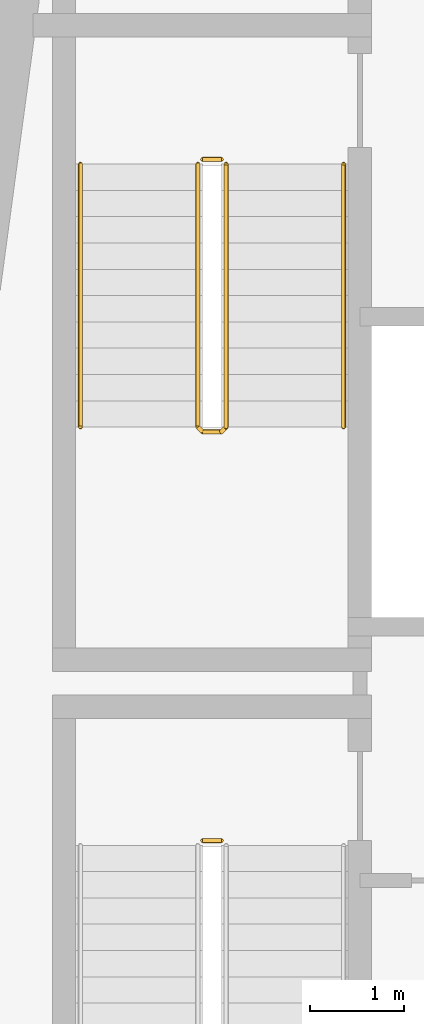
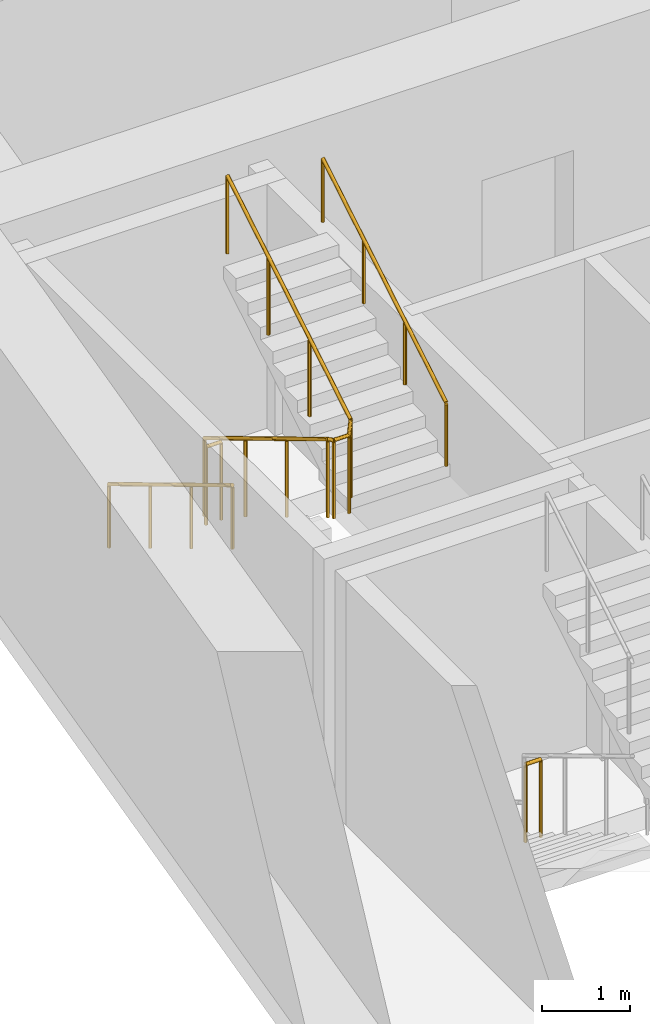
# One storey, part 10 of 13: 5 railings.
"""IFC4 building model written with IfcOpenShell, lengths in metres."""

from ifc_helpers import new_model, si_unit, direction, frame, origin, origin_2d, place, context, subcontext, project, spatial, circle, extrude, material, type_object, element, save


model = new_model("IFC4")

# Units and contexts
model_context = context("Model", 3, precision=1e-05, world=origin(), true_north=direction((0.0, 1.0)))
body_context = subcontext(model_context, "Body", "Model", "MODEL_VIEW")
ifc_project = project(units=[si_unit("LENGTHUNIT", "METRE"), si_unit("AREAUNIT", "SQUARE_METRE"), si_unit("VOLUMEUNIT", "CUBIC_METRE"), si_unit("PLANEANGLEUNIT", "RADIAN"), si_unit("MASSUNIT", "GRAM", prefix="KILO")], contexts=[model_context])

# Site, building, storey
site_placement = place(None, origin())
site = spatial("IfcSite", under=ifc_project, at=site_placement, CompositionType="ELEMENT")
building_placement = place(site_placement, origin())
building = spatial("IfcBuilding", under=site, at=building_placement, Name="Candeia Pilgrim Tower and Theatre", CompositionType="ELEMENT")
storey_placement = place(building_placement, frame((0.0, 0.0, 177.39990234375)))
storey = spatial("IfcBuildingStorey", under=building, at=storey_placement, Name="L42", CompositionType="ELEMENT", Elevation=177.39990234375)

# Railings
ifc_material_1 = material(Name="Stainless steel balustrade", Category="steel")
railing_type_1 = type_object("IfcRailingType", Name="RL-GUARD-1100", PredefinedType="GUARDRAIL", material=ifc_material_1)
railing_1_placement = place(storey_placement, frame((91.152099609375, 122.52490234375, 0.0)))
element("IfcRailing", 1, at=railing_1_placement, inside=storey, type_object=railing_type_1, Name="L42 ST1 stair guard 2", PredefinedType="GUARDRAIL", context=body_context, shape_type="SweptSolid", body=[
    extrude(circle(Radius=0.02392578125, at=origin_2d()), frame((0.0, 0.0, 1.076171875), z_axis=(1.0, 0.0, 0.0), x_axis=(0.0, 1.0, 0.0)), (0.0, 0.0, 1.0), 0.199951171875),
    extrude(circle(Radius=0.02099609375, at=origin_2d()), origin(), (0.0, 0.0, 1.0), 1.052001953125),
    extrude(circle(Radius=0.02099609375, at=origin_2d()), frame((0.199951171875, 0.0, 0.0)), (0.0, 0.0, 1.0), 1.052001953125),
])
railing_2_placement = place(storey_placement, frame((91.10205078125, 129.72509765625, 0.168212890625)))
element("IfcRailing", 2, at=railing_2_placement, inside=storey, type_object=railing_type_1, Name="L42 ST2 stair guard 1", PredefinedType="GUARDRAIL", context=body_context, shape_type="SweptSolid", body=[
    extrude(circle(Radius=0.02392578125, at=origin_2d()), frame((0.0, 0.0, 1.076171875), z_axis=(0.0, -0.857242210791, 0.514913383045), x_axis=(1.0, 0.0, 0.0)), (0.0, 0.0, 1.0), 3.266357421875),
    extrude(circle(Radius=0.02392578125, at=origin_2d()), frame((0.0, -2.800048828125, 2.7578125), z_axis=(0.707106781187, -0.707106781187, 0.0), x_axis=(0.707106781187, 0.707106781187, 0.0)), (0.0, 0.0, 1.0), 0.07080078125),
    extrude(circle(Radius=0.02392578125, at=origin_2d()), frame((0.050048828125, -2.85009765625, 2.7578125), z_axis=(1.0, 0.0, 0.0), x_axis=(0.0, 1.0, 0.0)), (0.0, 0.0, 1.0), 0.199951171875),
    extrude(circle(Radius=0.02392578125, at=origin_2d()), frame((0.25, -2.85009765625, 2.7578125), z_axis=(0.274243871929, 0.274243871929, 0.92172696468), x_axis=(-0.707106781187, 0.707106781187, 0.0)), (0.0, 0.0, 1.0), 0.1826171875),
    extrude(circle(Radius=0.02392578125, at=origin_2d()), frame((0.300048828125, -2.800048828125, 2.92626953125), z_axis=(0.0, 0.857242210791, 0.514913383045), x_axis=(-1.0, 0.0, 0.0)), (0.0, 0.0, 1.0), 3.266357421875),
    extrude(circle(Radius=0.02099609375, at=origin_2d()), origin(), (0.0, 0.0, 1.0), 1.052001953125),
    extrude(circle(Radius=0.02099609375, at=origin_2d()), frame((0.0, -0.933349609375, 0.560546875)), (0.0, 0.0, 1.0), 1.052001953125),
    extrude(circle(Radius=0.02099609375, at=origin_2d()), frame((0.0, -1.86669921875, 1.121337890625)), (0.0, 0.0, 1.0), 1.052001953125),
    extrude(circle(Radius=0.02099609375, at=origin_2d()), frame((0.0, -2.800048828125, 1.681884765625)), (0.0, 0.0, 1.0), 1.052001953125),
    extrude(circle(Radius=0.02099609375, at=origin_2d()), frame((0.050048828125, -2.85009765625, 1.681884765625)), (0.0, 0.0, 1.0), 1.052001953125),
    extrude(circle(Radius=0.02099609375, at=origin_2d()), frame((0.25, -2.85009765625, 1.681884765625)), (0.0, 0.0, 1.0), 1.052001953125),
    extrude(circle(Radius=0.02099609375, at=origin_2d()), frame((0.300048828125, -2.800048828125, 1.85009765625)), (0.0, 0.0, 1.0), 1.052001953125),
    extrude(circle(Radius=0.02099609375, at=origin_2d()), frame((0.300048828125, -1.86669921875, 2.41064453125)), (0.0, 0.0, 1.0), 1.052001953125),
    extrude(circle(Radius=0.02099609375, at=origin_2d()), frame((0.300048828125, -0.933349609375, 2.971435546875)), (0.0, 0.0, 1.0), 1.052001953125),
    extrude(circle(Radius=0.02099609375, at=origin_2d()), frame((0.300048828125, 0.0, 3.531982421875)), (0.0, 0.0, 1.0), 1.052001953125),
])
railing_3_placement = place(storey_placement, frame((91.152099609375, 129.77490234375, 0.0)))
element("IfcRailing", 3, at=railing_3_placement, inside=storey, type_object=railing_type_1, Name="L42 ST2 stair guard 2", PredefinedType="GUARDRAIL", context=body_context, shape_type="SweptSolid", body=[
    extrude(circle(Radius=0.02392578125, at=origin_2d()), frame((0.0, 0.0, 1.076171875), z_axis=(1.0, 0.0, 0.0), x_axis=(0.0, 1.0, 0.0)), (0.0, 0.0, 1.0), 0.199951171875),
    extrude(circle(Radius=0.02099609375, at=origin_2d()), origin(), (0.0, 0.0, 1.0), 1.052001953125),
    extrude(circle(Radius=0.02099609375, at=origin_2d()), frame((0.199951171875, 0.0, 0.0)), (0.0, 0.0, 1.0), 1.052001953125),
])
ifc_material_2 = material(Name="Stainless steel handrail", Category="steel")
railing_type_2 = type_object("IfcRailingType", Name="RL-HANDRAIL-900", PredefinedType="HANDRAIL", material=ifc_material_2)
railing_4_placement = place(storey_placement, frame((89.85205078125, 129.72509765625, 0.168212890625)))
element("IfcRailing", 4, at=railing_4_placement, inside=storey, type_object=railing_type_2, Name="L42 ST2 stair handrail 1", PredefinedType="HANDRAIL", context=body_context, shape_type="SweptSolid", body=[
    extrude(circle(Radius=0.02392578125, at=origin_2d()), frame((0.0, 0.0, 0.8759765625), z_axis=(0.0, -0.857242210791, 0.514913383045), x_axis=(1.0, 0.0, 0.0)), (0.0, 0.0, 1.0), 3.266357421875),
    extrude(circle(Radius=0.02099609375, at=origin_2d()), origin(), (0.0, 0.0, 1.0), 0.851806640625),
    extrude(circle(Radius=0.02099609375, at=origin_2d()), frame((0.0, -0.933349609375, 0.560546875)), (0.0, 0.0, 1.0), 0.851806640625),
    extrude(circle(Radius=0.02099609375, at=origin_2d()), frame((0.0, -1.86669921875, 1.121337890625)), (0.0, 0.0, 1.0), 0.851806640625),
    extrude(circle(Radius=0.02099609375, at=origin_2d()), frame((0.0, -2.800048828125, 1.681884765625)), (0.0, 0.0, 1.0), 0.851806640625),
])
railing_5_placement = place(storey_placement, frame((92.652099609375, 126.925048828125, 2.018310546875)))
element("IfcRailing", 5, at=railing_5_placement, inside=storey, type_object=railing_type_2, Name="L42 ST2 stair handrail 2", PredefinedType="HANDRAIL", context=body_context, shape_type="SweptSolid", body=[
    extrude(circle(Radius=0.02392578125, at=origin_2d()), frame((0.0, 0.0, 0.8759765625), z_axis=(0.0, 0.857242210791, 0.514913383045), x_axis=(-1.0, 0.0, 0.0)), (0.0, 0.0, 1.0), 3.266357421875),
    extrude(circle(Radius=0.02099609375, at=origin_2d()), origin(), (0.0, 0.0, 1.0), 0.851806640625),
    extrude(circle(Radius=0.02099609375, at=origin_2d()), frame((0.0, 0.933349609375, 0.560546875)), (0.0, 0.0, 1.0), 0.851806640625),
    extrude(circle(Radius=0.02099609375, at=origin_2d()), frame((0.0, 1.86669921875, 1.121337890625)), (0.0, 0.0, 1.0), 0.851806640625),
    extrude(circle(Radius=0.02099609375, at=origin_2d()), frame((0.0, 2.800048828125, 1.681884765625)), (0.0, 0.0, 1.0), 0.851806640625),
])

save(model, "model.ifc")
